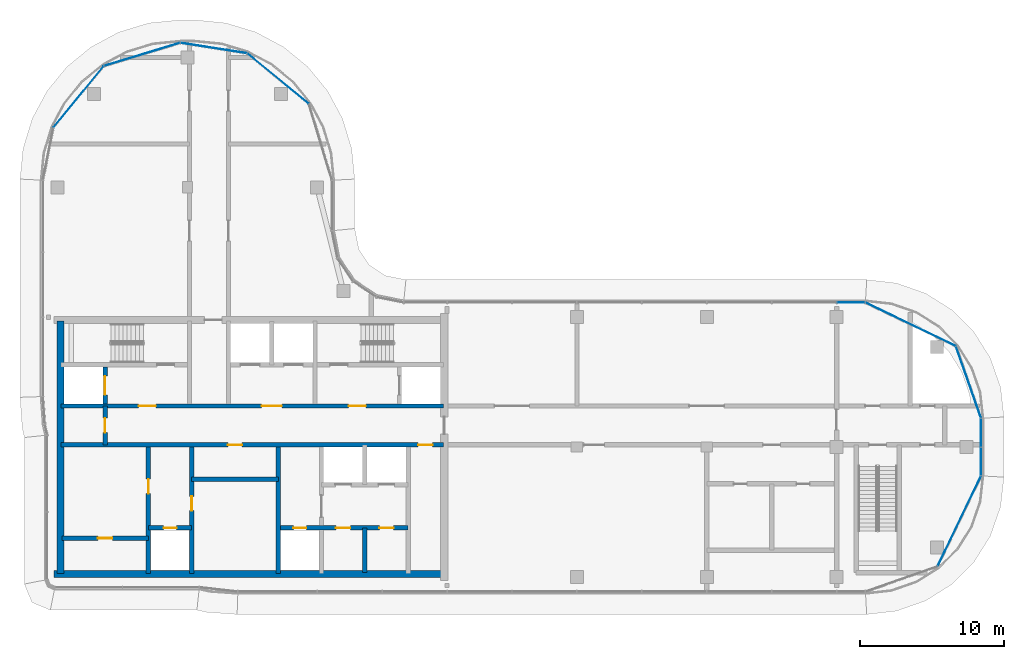
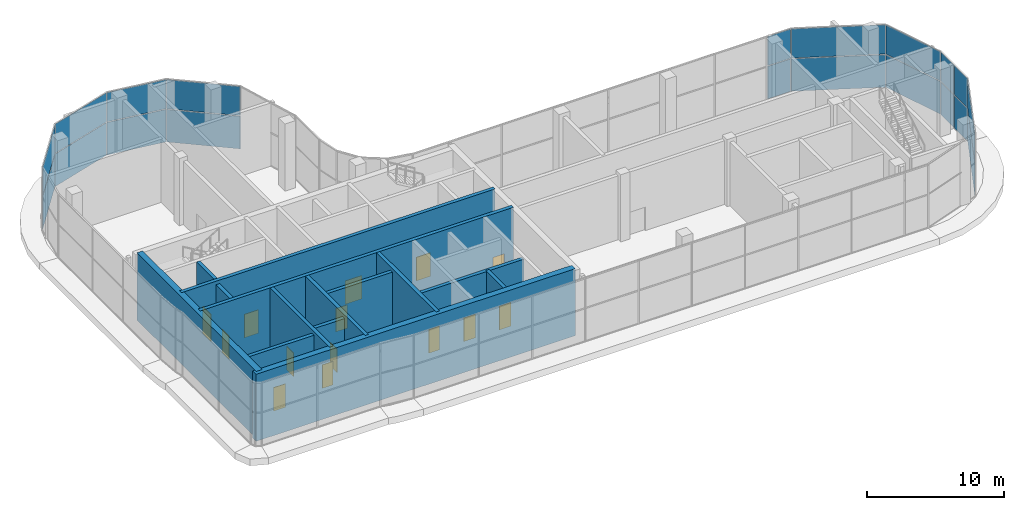
# One storey, part 14 of 23: 20 plates, 14 doors, 14 walls, 14 openings, 5 elements without a shape of their own.
"""IFC4 building model written with IfcOpenShell, lengths in metres."""

from ifc_helpers import new_model, si_unit, direction, frame, frame_2d, origin, origin_2d, place, context, subcontext, project, spatial, rectangle, extrude, material, layer, layer_set, type_object, element, fill, aggregate, save


model = new_model("IFC4")

# Units and contexts
model_context = context("Model", 3, precision=1e-05, world=origin(), true_north=direction((0.0, 1.0)))
body_context = subcontext(model_context, "Body", "Model", "MODEL_VIEW")
ifc_project = project(units=[si_unit("LENGTHUNIT", "METRE"), si_unit("AREAUNIT", "SQUARE_METRE"), si_unit("VOLUMEUNIT", "CUBIC_METRE"), si_unit("PLANEANGLEUNIT", "RADIAN"), si_unit("MASSUNIT", "GRAM", prefix="KILO")], contexts=[model_context])

# Site, building, storey
site_placement = place(None, origin())
site = spatial("IfcSite", under=ifc_project, at=site_placement, CompositionType="ELEMENT")
building_placement = place(site_placement, origin())
building = spatial("IfcBuilding", under=site, at=building_placement, Name="Ogive Portal Towers", CompositionType="ELEMENT")
storey_placement = place(building_placement, frame((0.0, 0.0, 260.89990234375)))
storey = spatial("IfcBuildingStorey", under=building, at=storey_placement, Name="L64", CompositionType="ELEMENT", Elevation=260.89990234375)

# Curtain wall, plates
ifc_material_1 = material(Name="Glass, clear low-iron insulated glazing", Category="glass")
curtain_wall_type = type_object("IfcCurtainWallType", Name="CW OBSERVATION WALL", PredefinedType="NOTDEFINED", material=ifc_material_1)
curtain_wall_1_placement = place(storey_placement, origin())
curtain_wall_1 = element("IfcCurtainWall", 1, at=curtain_wall_1_placement, inside=storey, type_object=curtain_wall_type, Name="A:L64:f08:cw0", PredefinedType="NOTDEFINED")
ifc_layer_1 = layer(ifc_material_1, 0.028076171875)
ifc_layer_set_1 = layer_set([ifc_layer_1], Name="CW PANEL IGU 28")
plate_type = type_object("IfcPlateType", Name="CW PANEL IGU 28", PredefinedType="CURTAIN_PANEL", material=ifc_layer_set_1)
plate_1_placement = place(storey_placement, frame((95.52001953125, 29.509033203125, 0.06005859375), z_axis=(0.0, 0.0, 1.0), x_axis=(0.0, 1.0, 0.0)))
plate_1 = element("IfcPlate", 2, at=plate_1_placement, type_object=plate_type, Name="panel", PredefinedType="CURTAIN_PANEL", context=body_context, shape_type="SweptSolid", body=[
    extrude(rectangle(XDim=1.921630859375, YDim=0.028076171875, at=origin_2d()), origin(), (0.0, 0.0, 1.0), 2.909912109375),
])
plate_2_placement = place(storey_placement, frame((95.52001953125, 29.509033203125, 3.0302734375), z_axis=(0.0, 0.0, 1.0), x_axis=(0.0, 1.0, 0.0)))
plate_2 = element("IfcPlate", 3, at=plate_2_placement, type_object=plate_type, Name="panel", PredefinedType="CURTAIN_PANEL", context=body_context, shape_type="SweptSolid", body=[
    extrude(rectangle(XDim=1.921630859375, YDim=0.028076171875, at=origin_2d()), origin(), (0.0, 0.0, 1.0), 2.610107421875),
])
plate_3_placement = place(storey_placement, frame((95.52001953125, 31.4931640625, 0.06005859375), z_axis=(0.0, 0.0, 1.0), x_axis=(0.0, 1.0, 0.0)))
plate_3 = element("IfcPlate", 4, at=plate_3_placement, type_object=plate_type, Name="panel", PredefinedType="CURTAIN_PANEL", context=body_context, shape_type="SweptSolid", body=[
    extrude(rectangle(XDim=1.926513671875, YDim=0.028076171875, at=origin_2d()), origin(), (0.0, 0.0, 1.0), 2.909912109375),
])
plate_4_placement = place(storey_placement, frame((95.52001953125, 31.4931640625, 3.0302734375), z_axis=(0.0, 0.0, 1.0), x_axis=(0.0, 1.0, 0.0)))
plate_4 = element("IfcPlate", 5, at=plate_4_placement, type_object=plate_type, Name="panel", PredefinedType="CURTAIN_PANEL", context=body_context, shape_type="SweptSolid", body=[
    extrude(rectangle(XDim=1.926513671875, YDim=0.028076171875, at=origin_2d()), origin(), (0.0, 0.0, 1.0), 2.610107421875),
])
aggregate(curtain_wall_1, [plate_1, plate_2, plate_3, plate_4])

curtain_wall_2_placement = place(storey_placement, origin())
curtain_wall_2 = element("IfcCurtainWall", 6, at=curtain_wall_2_placement, inside=storey, type_object=curtain_wall_type, Name="A:L64:f11:cw0", PredefinedType="NOTDEFINED")
plate_5_placement = place(storey_placement, frame((86.490966796875, 40.52001953125, 0.06005859375), z_axis=(0.0, 0.0, 1.0), x_axis=(-1.0, 0.0, 0.0)))
plate_5 = element("IfcPlate", 7, at=plate_5_placement, type_object=plate_type, Name="panel", PredefinedType="CURTAIN_PANEL", context=body_context, shape_type="SweptSolid", body=[
    extrude(rectangle(XDim=1.921630859375, YDim=0.028076171875, at=origin_2d()), origin(), (0.0, 0.0, 1.0), 2.909912109375),
])
plate_6_placement = place(storey_placement, frame((86.490966796875, 40.52001953125, 3.0302734375), z_axis=(0.0, 0.0, 1.0), x_axis=(-1.0, 0.0, 0.0)))
plate_6 = element("IfcPlate", 8, at=plate_6_placement, type_object=plate_type, Name="panel", PredefinedType="CURTAIN_PANEL", context=body_context, shape_type="SweptSolid", body=[
    extrude(rectangle(XDim=1.921630859375, YDim=0.028076171875, at=origin_2d()), origin(), (0.0, 0.0, 1.0), 2.610107421875),
])
aggregate(curtain_wall_2, [plate_5, plate_6])

curtain_wall_3_placement = place(storey_placement, origin())
curtain_wall_3 = element("IfcCurtainWall", 9, at=curtain_wall_3_placement, inside=storey, type_object=curtain_wall_type, Name="A:L64:f06:cwa", PredefinedType="NOTDEFINED")
plate_7_placement = place(storey_placement, frame((94.00634765625, 25.375, 0.06005859375), z_axis=(0.0, 0.0, 1.0), x_axis=(0.433883739113, 0.900968867905, 0.0)))
plate_7 = element("IfcPlate", 10, at=plate_7_placement, type_object=plate_type, Name="panel", PredefinedType="CURTAIN_PANEL", context=body_context, shape_type="SweptSolid", body=[
    extrude(rectangle(XDim=6.91748046875, YDim=0.028076171875, at=origin_2d()), origin(), (0.0, 0.0, 1.0), 2.909912109375),
])
plate_8_placement = place(storey_placement, frame((94.00634765625, 25.375, 3.0302734375), z_axis=(0.0, 0.0, 1.0), x_axis=(0.433883739113, 0.900968867905, 0.0)))
plate_8 = element("IfcPlate", 11, at=plate_8_placement, type_object=plate_type, Name="panel", PredefinedType="CURTAIN_PANEL", context=body_context, shape_type="SweptSolid", body=[
    extrude(rectangle(XDim=6.91748046875, YDim=0.028076171875, at=origin_2d()), origin(), (0.0, 0.0, 1.0), 2.610107421875),
])
aggregate(curtain_wall_3, [plate_7, plate_8])

curtain_wall_4_placement = place(storey_placement, origin())
curtain_wall_4 = element("IfcCurtainWall", 12, at=curtain_wall_4_placement, inside=storey, type_object=curtain_wall_type, Name="A:L64:f09:cwa", PredefinedType="NOTDEFINED")
plate_9_placement = place(storey_placement, frame((94.64404296875, 34.989501953125, 0.06005859375), z_axis=(0.0, 0.0, 1.0), x_axis=(-0.33027906196, 0.943883330307, 0.0)))
plate_9 = element("IfcPlate", 13, at=plate_9_placement, type_object=plate_type, Name="panel", PredefinedType="CURTAIN_PANEL", context=body_context, shape_type="SweptSolid", body=[
    extrude(rectangle(XDim=5.243896484375, YDim=0.028076171875, at=origin_2d()), origin(), (0.0, 0.0, 1.0), 2.909912109375),
])
plate_10_placement = place(storey_placement, frame((94.64404296875, 34.989501953125, 3.0302734375), z_axis=(0.0, 0.0, 1.0), x_axis=(-0.33027906196, 0.943883330307, 0.0)))
plate_10 = element("IfcPlate", 14, at=plate_10_placement, type_object=plate_type, Name="panel", PredefinedType="CURTAIN_PANEL", context=body_context, shape_type="SweptSolid", body=[
    extrude(rectangle(XDim=5.243896484375, YDim=0.028076171875, at=origin_2d()), origin(), (0.0, 0.0, 1.0), 2.610107421875),
])
plate_11_placement = place(storey_placement, frame((90.625, 39.00634765625, 0.06005859375), z_axis=(0.0, 0.0, 1.0), x_axis=(-0.900968867905, 0.433883739113, 0.0)))
plate_11 = element("IfcPlate", 15, at=plate_11_placement, type_object=plate_type, Name="panel", PredefinedType="CURTAIN_PANEL", context=body_context, shape_type="SweptSolid", body=[
    extrude(rectangle(XDim=6.91748046875, YDim=0.028076171875, at=origin_2d()), origin(), (0.0, 0.0, 1.0), 2.909912109375),
])
plate_12_placement = place(storey_placement, frame((90.625, 39.00634765625, 3.0302734375), z_axis=(0.0, 0.0, 1.0), x_axis=(-0.900968867905, 0.433883739113, 0.0)))
plate_12 = element("IfcPlate", 16, at=plate_12_placement, type_object=plate_type, Name="panel", PredefinedType="CURTAIN_PANEL", context=body_context, shape_type="SweptSolid", body=[
    extrude(rectangle(XDim=6.91748046875, YDim=0.028076171875, at=origin_2d()), origin(), (0.0, 0.0, 1.0), 2.610107421875),
])
aggregate(curtain_wall_4, [plate_9, plate_10, plate_11, plate_12])

curtain_wall_5_placement = place(storey_placement, origin())
curtain_wall_5 = element("IfcCurtainWall", 17, at=curtain_wall_5_placement, inside=storey, type_object=curtain_wall_type, Name="A:L64:f17:cwa", PredefinedType="NOTDEFINED")
plate_13_placement = place(storey_placement, frame((46.776123046875, 56.040283203125, 0.06005859375), z_axis=(0.0, 0.0, 1.0), x_axis=(-0.773010453363, 0.634393284164, 0.0)))
plate_13 = element("IfcPlate", 18, at=plate_13_placement, type_object=plate_type, Name="panel", PredefinedType="CURTAIN_PANEL", context=body_context, shape_type="SweptSolid", body=[
    extrude(rectangle(XDim=5.46728515625, YDim=0.028076171875, at=origin_2d()), origin(), (0.0, 0.0, 1.0), 2.909912109375),
])
plate_14_placement = place(storey_placement, frame((46.776123046875, 56.040283203125, 3.0302734375), z_axis=(0.0, 0.0, 1.0), x_axis=(-0.773010453363, 0.634393284164, 0.0)))
plate_14 = element("IfcPlate", 19, at=plate_14_placement, type_object=plate_type, Name="panel", PredefinedType="CURTAIN_PANEL", context=body_context, shape_type="SweptSolid", body=[
    extrude(rectangle(XDim=5.46728515625, YDim=0.028076171875, at=origin_2d()), origin(), (0.0, 0.0, 1.0), 2.610107421875),
])
plate_15_placement = place(storey_placement, frame((42.32275390625, 58.15576171875, 0.06005859375), z_axis=(0.0, 0.0, 1.0), x_axis=(-0.987996509006, 0.154476205908, 0.0)))
plate_15 = element("IfcPlate", 20, at=plate_15_placement, type_object=plate_type, Name="panel", PredefinedType="CURTAIN_PANEL", context=body_context, shape_type="SweptSolid", body=[
    extrude(rectangle(XDim=4.63037109375, YDim=0.028076171875, at=origin_2d()), origin(), (0.0, 0.0, 1.0), 2.909912109375),
])
plate_16_placement = place(storey_placement, frame((42.32275390625, 58.15576171875, 3.0302734375), z_axis=(0.0, 0.0, 1.0), x_axis=(-0.987996509006, 0.154476205908, 0.0)))
plate_16 = element("IfcPlate", 21, at=plate_16_placement, type_object=plate_type, Name="panel", PredefinedType="CURTAIN_PANEL", context=body_context, shape_type="SweptSolid", body=[
    extrude(rectangle(XDim=4.63037109375, YDim=0.028076171875, at=origin_2d()), origin(), (0.0, 0.0, 1.0), 2.610107421875),
])
plate_17_placement = place(storey_placement, frame((37.359375, 57.71533203125, 0.06005859375), z_axis=(0.0, 0.0, 1.0), x_axis=(-0.956940335732, -0.290284677254, 0.0)))
plate_17 = element("IfcPlate", 22, at=plate_17_placement, type_object=plate_type, Name="panel", PredefinedType="CURTAIN_PANEL", context=body_context, shape_type="SweptSolid", body=[
    extrude(rectangle(XDim=5.470947265625, YDim=0.028076171875, at=origin_2d()), origin(), (0.0, 0.0, 1.0), 2.909912109375),
])
plate_18_placement = place(storey_placement, frame((37.359375, 57.71533203125, 3.0302734375), z_axis=(0.0, 0.0, 1.0), x_axis=(-0.956940335732, -0.290284677254, 0.0)))
plate_18 = element("IfcPlate", 23, at=plate_18_placement, type_object=plate_type, Name="panel", PredefinedType="CURTAIN_PANEL", context=body_context, shape_type="SweptSolid", body=[
    extrude(rectangle(XDim=5.470947265625, YDim=0.028076171875, at=origin_2d()), origin(), (0.0, 0.0, 1.0), 2.610107421875),
])
plate_19_placement = place(storey_placement, frame((32.959228515625, 54.775634765625, 0.06005859375), z_axis=(0.0, 0.0, 1.0), x_axis=(-0.634393284164, -0.773010453363, 0.0)))
plate_19 = element("IfcPlate", 24, at=plate_19_placement, type_object=plate_type, Name="panel", PredefinedType="CURTAIN_PANEL", context=body_context, shape_type="SweptSolid", body=[
    extrude(rectangle(XDim=5.46923828125, YDim=0.028076171875, at=origin_2d()), origin(), (0.0, 0.0, 1.0), 2.909912109375),
])
plate_20_placement = place(storey_placement, frame((32.959228515625, 54.775634765625, 3.0302734375), z_axis=(0.0, 0.0, 1.0), x_axis=(-0.634393284164, -0.773010453363, 0.0)))
plate_20 = element("IfcPlate", 25, at=plate_20_placement, type_object=plate_type, Name="panel", PredefinedType="CURTAIN_PANEL", context=body_context, shape_type="SweptSolid", body=[
    extrude(rectangle(XDim=5.46923828125, YDim=0.028076171875, at=origin_2d()), origin(), (0.0, 0.0, 1.0), 2.610107421875),
])
aggregate(curtain_wall_5, [plate_13, plate_14, plate_15, plate_16, plate_17, plate_18, plate_19, plate_20])

# Wall, opening, door
ifc_material_2 = material(Name="Concrete C60/75", Category="concrete")
ifc_layer_2 = layer(ifc_material_2, 0.300048828125)
ifc_layer_set_2 = layer_set([ifc_layer_2], Name="CORE WALL 300 C60")
wall_type_1 = type_object("IfcWallType", Name="CORE WALL 300 C60", PredefinedType="SHEAR", material=ifc_layer_set_2)
wall_1_placement = place(storey_placement, frame((37.800048828125, 21.75, 0.0), z_axis=(0.0, 0.0, 1.0), x_axis=(0.0, 1.0, 0.0)))
wall_1 = element("IfcWall", 26, at=wall_1_placement, inside=storey, type_object=wall_type_1, Name="Core wall X1 L64", PredefinedType="SHEAR", context=body_context, shape_type="SweptSolid", body=[
    extrude(rectangle(XDim=8.75, YDim=0.300048828125, at=frame_2d((4.375, 0.0))), origin(), (0.0, 0.0, 1.0), 6.0),
])
opening_1_placement = place(wall_1_placement, frame((5.52490234375, 0.0, 0.0)))
opening_1 = element("IfcOpeningElement", 27, at=opening_1_placement, cuts=wall_1, Name="Opening D30-018", PredefinedType="OPENING", context=body_context, shape_type="SweptSolid", body=[
    extrude(rectangle(XDim=1.0, YDim=2.10009765625, at=frame_2d((0.5, 1.050048828125))), frame((0.0, 0.16015625, 0.0), z_axis=(0.0, -1.0, 0.0), x_axis=(1.0, 0.0, 0.0)), (0.0, 0.0, 1.0), 0.320068359375),
])
ifc_material_3 = material(Name="Steel fire door", Category="steel")
door_type_1 = type_object("IfcDoorType", Name="DT-SWING-1000x2100-FD90S", OperationType="SINGLE_SWING_LEFT", PredefinedType="DOOR", material=ifc_material_3)
door_1_placement = place(opening_1_placement, origin())
door_1 = element("IfcDoor", 28, at=door_1_placement, inside=storey, type_object=door_type_1, Name="Door D30-018", OperationType="SINGLE_SWING_LEFT", OverallHeight=2.10009765625, OverallWidth=1.0, PredefinedType="DOOR", context=body_context, shape_type="SweptSolid", body=[
    extrude(rectangle(XDim=1.0, YDim=2.10009765625, at=frame_2d((0.5, 1.050048828125))), frame((0.0, 0.02490234375, 0.0), z_axis=(0.0, -1.0, 0.0), x_axis=(1.0, 0.0, 0.0)), (0.0, 0.0, 1.0), 0.050048828125),
])
fill(opening_1, door_1)

wall_2_placement = place(storey_placement, frame((40.800048828125, 21.75, 0.0), z_axis=(0.0, 0.0, 1.0), x_axis=(0.0, 1.0, 0.0)))
wall_2 = element("IfcWall", 29, at=wall_2_placement, inside=storey, type_object=wall_type_1, Name="Core wall X2 L64", PredefinedType="SHEAR", context=body_context, shape_type="SweptSolid", body=[
    extrude(rectangle(XDim=8.75, YDim=0.300048828125, at=frame_2d((4.375, 0.0))), origin(), (0.0, 0.0, 1.0), 6.0),
])
opening_2_placement = place(wall_2_placement, frame((4.337890625, 0.0, 0.0)))
opening_2 = element("IfcOpeningElement", 30, at=opening_2_placement, cuts=wall_2, Name="Opening D30-021", PredefinedType="OPENING", context=body_context, shape_type="SweptSolid", body=[
    extrude(rectangle(XDim=1.0, YDim=2.10009765625, at=frame_2d((0.5, 1.050048828125))), frame((0.0, 0.16015625, 0.0), z_axis=(0.0, -1.0, 0.0), x_axis=(1.0, 0.0, 0.0)), (0.0, 0.0, 1.0), 0.320068359375),
])
door_2_placement = place(opening_2_placement, origin())
door_2 = element("IfcDoor", 31, at=door_2_placement, inside=storey, type_object=door_type_1, Name="Door D30-021", OperationType="SINGLE_SWING_RIGHT", OverallHeight=2.10009765625, OverallWidth=1.0, PredefinedType="DOOR", context=body_context, shape_type="SweptSolid", body=[
    extrude(rectangle(XDim=1.0, YDim=2.10009765625, at=frame_2d((0.5, 1.050048828125))), frame((0.0, 0.02490234375, 0.0), z_axis=(0.0, -1.0, 0.0), x_axis=(1.0, 0.0, 0.0)), (0.0, 0.0, 1.0), 0.050048828125),
])
fill(opening_2, door_2)

# Wall
wall_3_placement = place(storey_placement, frame((46.800048828125, 21.75, 0.0), z_axis=(0.0, 0.0, 1.0), x_axis=(0.0, 1.0, 0.0)))
element("IfcWall", 32, at=wall_3_placement, inside=storey, type_object=wall_type_1, Name="Core wall X3 L64", PredefinedType="SHEAR", context=body_context, shape_type="SweptSolid", body=[
    extrude(rectangle(XDim=8.75, YDim=0.300048828125, at=frame_2d((4.375, 0.0))), origin(), (0.0, 0.0, 1.0), 6.0),
])

# Wall, openings, doors
wall_4_placement = place(storey_placement, frame((31.75, 30.64990234375, 0.0), z_axis=(0.0, 0.0, 1.0), x_axis=(1.0, 0.0, 0.0)))
wall_4 = element("IfcWall", 33, at=wall_4_placement, inside=storey, type_object=wall_type_1, Name="Core wall Y1 L64", PredefinedType="SHEAR", context=body_context, shape_type="SweptSolid", body=[
    extrude(rectangle(XDim=26.5, YDim=0.300048828125, at=frame_2d((13.25, 0.0))), origin(), (0.0, 0.0, 1.0), 6.0),
])
opening_3_placement = place(wall_4_placement, frame((24.75, 0.0, 0.0)))
opening_3 = element("IfcOpeningElement", 34, at=opening_3_placement, cuts=wall_4, Name="Opening D30-009", PredefinedType="OPENING", context=body_context, shape_type="SweptSolid", body=[
    extrude(rectangle(XDim=1.0, YDim=2.10009765625, at=frame_2d((0.5, 1.050048828125))), frame((0.0, 0.16015625, 0.0), z_axis=(0.0, -1.0, 0.0), x_axis=(1.0, 0.0, 0.0)), (0.0, 0.0, 1.0), 0.320068359375),
])
opening_4_placement = place(wall_4_placement, frame((11.550048828125, 0.0, 0.0)))
opening_4 = element("IfcOpeningElement", 35, at=opening_4_placement, cuts=wall_4, Name="Opening D30-020", PredefinedType="OPENING", context=body_context, shape_type="SweptSolid", body=[
    extrude(rectangle(XDim=1.0, YDim=2.10009765625, at=frame_2d((0.5, 1.050048828125))), frame((0.0, 0.16015625, 0.0), z_axis=(0.0, -1.0, 0.0), x_axis=(1.0, 0.0, 0.0)), (0.0, 0.0, 1.0), 0.320068359375),
])
door_3_placement = place(opening_3_placement, origin())
door_3 = element("IfcDoor", 36, at=door_3_placement, inside=storey, type_object=door_type_1, Name="Door D30-009", OperationType="SINGLE_SWING_LEFT", OverallHeight=2.10009765625, OverallWidth=1.0, PredefinedType="DOOR", context=body_context, shape_type="SweptSolid", body=[
    extrude(rectangle(XDim=1.0, YDim=2.10009765625, at=frame_2d((0.5, 1.050048828125))), frame((0.0, 0.02490234375, 0.0), z_axis=(0.0, -1.0, 0.0), x_axis=(1.0, 0.0, 0.0)), (0.0, 0.0, 1.0), 0.050048828125),
])
fill(opening_3, door_3)
door_4_placement = place(opening_4_placement, origin())
door_4 = element("IfcDoor", 37, at=door_4_placement, inside=storey, type_object=door_type_1, Name="Riser access door D30-020", OperationType="SINGLE_SWING_LEFT", OverallHeight=2.10009765625, OverallWidth=1.0, PredefinedType="DOOR", context=body_context, shape_type="SweptSolid", body=[
    extrude(rectangle(XDim=1.0, YDim=2.10009765625, at=frame_2d((0.5, 1.050048828125))), frame((0.0, 0.02490234375, 0.0), z_axis=(0.0, -1.0, 0.0), x_axis=(1.0, 0.0, 0.0)), (0.0, 0.0, 1.0), 0.050048828125),
])
fill(opening_4, door_4)

wall_5_placement = place(storey_placement, frame((31.75, 33.35009765625, 0.0), z_axis=(0.0, 0.0, 1.0), x_axis=(1.0, 0.0, 0.0)))
wall_5 = element("IfcWall", 38, at=wall_5_placement, inside=storey, type_object=wall_type_1, Name="Core wall Y2 L64", PredefinedType="SHEAR", context=body_context, shape_type="SweptSolid", body=[
    extrude(rectangle(XDim=26.5, YDim=0.300048828125, at=frame_2d((13.25, 0.0))), origin(), (0.0, 0.0, 1.0), 6.0),
])
opening_5_placement = place(wall_5_placement, frame((13.89990234375, 0.0, 0.0)))
opening_5 = element("IfcOpeningElement", 39, at=opening_5_placement, cuts=wall_5, Name="Opening D30-002", PredefinedType="OPENING", context=body_context, shape_type="SweptSolid", body=[
    extrude(rectangle(XDim=1.39990234375, YDim=2.10009765625, at=frame_2d((0.699951171875, 1.050048828125))), frame((0.0, 0.16015625, 0.0), z_axis=(0.0, -1.0, 0.0), x_axis=(1.0, 0.0, 0.0)), (0.0, 0.0, 1.0), 0.320068359375),
])
opening_6_placement = place(wall_5_placement, frame((5.375, 0.0, 0.0)))
opening_6 = element("IfcOpeningElement", 40, at=opening_6_placement, cuts=wall_5, Name="Opening D30-003", PredefinedType="OPENING", context=body_context, shape_type="SweptSolid", body=[
    extrude(rectangle(XDim=1.199951171875, YDim=2.10009765625, at=frame_2d((0.60009765625, 1.050048828125))), frame((0.0, 0.16015625, 0.0), z_axis=(0.0, -1.0, 0.0), x_axis=(1.0, 0.0, 0.0)), (0.0, 0.0, 1.0), 0.320068359375),
])
opening_7_placement = place(wall_5_placement, frame((19.925048828125, 0.0, 0.0)))
opening_7 = element("IfcOpeningElement", 41, at=opening_7_placement, cuts=wall_5, Name="Opening D30-004", PredefinedType="OPENING", context=body_context, shape_type="SweptSolid", body=[
    extrude(rectangle(XDim=1.199951171875, YDim=2.10009765625, at=frame_2d((0.60009765625, 1.050048828125))), frame((0.0, 0.16015625, 0.0), z_axis=(0.0, -1.0, 0.0), x_axis=(1.0, 0.0, 0.0)), (0.0, 0.0, 1.0), 0.320068359375),
])
door_type_2 = type_object("IfcDoorType", Name="DT-SWING-1200x2100-FD90S", OperationType="SINGLE_SWING_LEFT", PredefinedType="DOOR", material=ifc_material_3)
door_5_placement = place(opening_6_placement, origin())
door_5 = element("IfcDoor", 42, at=door_5_placement, inside=storey, type_object=door_type_2, Name="Door D30-003", OperationType="SINGLE_SWING_LEFT", OverallHeight=2.10009765625, OverallWidth=1.199951171875, PredefinedType="DOOR", context=body_context, shape_type="SweptSolid", body=[
    extrude(rectangle(XDim=1.199951171875, YDim=2.10009765625, at=frame_2d((0.60009765625, 1.050048828125))), frame((0.0, 0.02490234375, 0.0), z_axis=(0.0, -1.0, 0.0), x_axis=(1.0, 0.0, 0.0)), (0.0, 0.0, 1.0), 0.050048828125),
])
fill(opening_6, door_5)
door_6_placement = place(opening_7_placement, origin())
door_6 = element("IfcDoor", 43, at=door_6_placement, inside=storey, type_object=door_type_2, Name="Door D30-004", OperationType="SINGLE_SWING_RIGHT", OverallHeight=2.10009765625, OverallWidth=1.199951171875, PredefinedType="DOOR", context=body_context, shape_type="SweptSolid", body=[
    extrude(rectangle(XDim=1.199951171875, YDim=2.10009765625, at=frame_2d((0.60009765625, 1.050048828125))), frame((0.0, 0.02490234375, 0.0), z_axis=(0.0, -1.0, 0.0), x_axis=(1.0, 0.0, 0.0)), (0.0, 0.0, 1.0), 0.050048828125),
])
fill(opening_7, door_6)
door_type_3 = type_object("IfcDoorType", Name="DT-SWING-1400x2100-FD90S", OperationType="SINGLE_SWING_LEFT", PredefinedType="DOOR", material=ifc_material_3)
door_7_placement = place(opening_5_placement, origin())
door_7 = element("IfcDoor", 44, at=door_7_placement, inside=storey, type_object=door_type_3, Name="Door D30-002", OperationType="SINGLE_SWING_RIGHT", OverallHeight=2.10009765625, OverallWidth=1.39990234375, PredefinedType="DOOR", context=body_context, shape_type="SweptSolid", body=[
    extrude(rectangle(XDim=1.39990234375, YDim=2.10009765625, at=frame_2d((0.699951171875, 1.050048828125))), frame((0.0, 0.02490234375, 0.0), z_axis=(0.0, -1.0, 0.0), x_axis=(1.0, 0.0, 0.0)), (0.0, 0.0, 1.0), 0.050048828125),
])
fill(opening_5, door_7)

# Wall, opening, door
wall_6_placement = place(storey_placement, frame((34.800048828125, 33.5, 0.0), z_axis=(0.0, 0.0, 1.0), x_axis=(0.0, 1.0, 0.0)))
wall_6 = element("IfcWall", 45, at=wall_6_placement, inside=storey, type_object=wall_type_1, Name="Core wall X8 L64", PredefinedType="SHEAR", context=body_context, shape_type="SweptSolid", body=[
    extrude(rectangle(XDim=2.550048828125, YDim=0.300048828125, at=frame_2d((1.27490234375, 0.0))), origin(), (0.0, 0.0, 1.0), 6.0),
])
opening_8_placement = place(wall_6_placement, frame((0.625, 0.0, 0.0)))
opening_8 = element("IfcOpeningElement", 46, at=opening_8_placement, cuts=wall_6, Name="Opening D30-016", PredefinedType="OPENING", context=body_context, shape_type="SweptSolid", body=[
    extrude(rectangle(XDim=1.300048828125, YDim=2.39990234375, at=frame_2d((0.64990234375, 1.199951171875))), frame((0.0, 0.16015625, 0.0), z_axis=(0.0, -1.0, 0.0), x_axis=(1.0, 0.0, 0.0)), (0.0, 0.0, 1.0), 0.320068359375),
])
ifc_material_4 = material(Name="Stainless steel", Category="steel")
door_type_4 = type_object("IfcDoorType", Name="DT-LD-1300x2400", OperationType="SLIDING_TO_LEFT", PredefinedType="DOOR", material=ifc_material_4)
door_8_placement = place(opening_8_placement, origin())
door_8 = element("IfcDoor", 47, at=door_8_placement, inside=storey, type_object=door_type_4, Name="Door D30-016", OperationType="SLIDING_TO_LEFT", OverallHeight=2.39990234375, OverallWidth=1.300048828125, PredefinedType="DOOR", context=body_context, shape_type="SweptSolid", body=[
    extrude(rectangle(XDim=1.300048828125, YDim=2.39990234375, at=frame_2d((0.64990234375, 1.199951171875))), frame((0.0, 0.02490234375, 0.0), z_axis=(0.0, -1.0, 0.0), x_axis=(1.0, 0.0, 0.0)), (0.0, 0.0, 1.0), 0.050048828125),
])
fill(opening_8, door_8)

# Walls
ifc_layer_3 = layer(ifc_material_2, 0.5)
ifc_layer_set_3 = layer_set([ifc_layer_3], Name="CORE WALL 500 C60")
wall_type_2 = type_object("IfcWallType", Name="CORE WALL 500 C60", PredefinedType="SHEAR", material=ifc_layer_set_3)
wall_7_placement = place(storey_placement, frame((31.699951171875, 21.75, 0.0), z_axis=(0.0, 0.0, 1.0), x_axis=(0.0, 1.0, 0.0)))
element("IfcWall", 48, at=wall_7_placement, inside=storey, type_object=wall_type_2, Name="Core wall W L64", PredefinedType="SHEAR", context=body_context, shape_type="SweptSolid", body=[
    extrude(rectangle(XDim=17.5, YDim=0.5, at=frame_2d((8.75, 0.0))), origin(), (0.0, 0.0, 1.0), 6.0),
])
wall_8_placement = place(storey_placement, frame((31.25, 21.699951171875, 0.0), z_axis=(0.0, 0.0, 1.0), x_axis=(1.0, 0.0, 0.0)))
element("IfcWall", 49, at=wall_8_placement, inside=storey, type_object=wall_type_2, Name="Core wall S L64", PredefinedType="SHEAR", context=body_context, shape_type="SweptSolid", body=[
    extrude(rectangle(XDim=27.0, YDim=0.5, at=frame_2d((13.5, 0.0))), origin(), (0.0, 0.0, 1.0), 6.0),
])

# Wall, opening, door
ifc_material_5 = material(Name="Gypsum board partition on steel studs", Category="steel")
ifc_layer_4 = layer(ifc_material_5, 0.300048828125)
ifc_layer_set_4 = layer_set([ifc_layer_4], Name="WT-PART-300")
wall_type_3 = type_object("IfcWallType", Name="WT-PART-300", PredefinedType="PARTITIONING", material=ifc_layer_set_4)
wall_9_placement = place(storey_placement, frame((31.800048828125, 24.173095703125, 0.0), z_axis=(0.0, 0.0, 1.0), x_axis=(1.0, 0.0, 0.0)))
wall_9 = element("IfcWall", 50, at=wall_9_placement, inside=storey, type_object=wall_type_3, Name="Wall pw:001:L64", PredefinedType="PARTITIONING", context=body_context, shape_type="SweptSolid", body=[
    extrude(rectangle(XDim=6.0, YDim=0.300048828125, at=frame_2d((3.0, 0.0))), origin(), (0.0, 0.0, 1.0), 5.7001953125),
])
opening_9_placement = place(wall_9_placement, frame((2.5, 0.0, 0.0)))
opening_9 = element("IfcOpeningElement", 51, at=opening_9_placement, cuts=wall_9, Name="Opening D30-019", PredefinedType="OPENING", context=body_context, shape_type="SweptSolid", body=[
    extrude(rectangle(XDim=1.0, YDim=2.10009765625, at=frame_2d((0.5, 1.050048828125))), frame((0.0, 0.16015625, 0.0), z_axis=(0.0, -1.0, 0.0), x_axis=(1.0, 0.0, 0.0)), (0.0, 0.0, 1.0), 0.320068359375),
])
door_type_5 = type_object("IfcDoorType", Name="DT-SWING-1000x2100-FD60S", OperationType="SINGLE_SWING_LEFT", PredefinedType="DOOR", material=ifc_material_3)
door_9_placement = place(opening_9_placement, origin())
door_9 = element("IfcDoor", 52, at=door_9_placement, inside=storey, type_object=door_type_5, Name="Riser access door D30-019", OperationType="SINGLE_SWING_RIGHT", OverallHeight=2.10009765625, OverallWidth=1.0, PredefinedType="DOOR", context=body_context, shape_type="SweptSolid", body=[
    extrude(rectangle(XDim=1.0, YDim=2.10009765625, at=frame_2d((0.5, 1.050048828125))), frame((0.0, 0.02490234375, 0.0), z_axis=(0.0, -1.0, 0.0), x_axis=(1.0, 0.0, 0.0)), (0.0, 0.0, 1.0), 0.050048828125),
])
fill(opening_9, door_9)

wall_10_placement = place(storey_placement, frame((37.800048828125, 24.89990234375, 0.0), z_axis=(0.0, 0.0, 1.0), x_axis=(1.0, 0.0, 0.0)))
wall_10 = element("IfcWall", 53, at=wall_10_placement, inside=storey, type_object=wall_type_3, Name="Wall pw:002:L64", PredefinedType="PARTITIONING", context=body_context, shape_type="SweptSolid", body=[
    extrude(rectangle(XDim=3.0, YDim=0.300048828125, at=frame_2d((1.5, 0.0))), origin(), (0.0, 0.0, 1.0), 5.7001953125),
])
opening_10_placement = place(wall_10_placement, frame((1.050048828125, 0.0, 0.0)))
opening_10 = element("IfcOpeningElement", 54, at=opening_10_placement, cuts=wall_10, Name="Opening D30-007", PredefinedType="OPENING", context=body_context, shape_type="SweptSolid", body=[
    extrude(rectangle(XDim=0.89990234375, YDim=2.10009765625, at=frame_2d((0.449951171875, 1.050048828125))), frame((0.0, 0.16015625, 0.0), z_axis=(0.0, -1.0, 0.0), x_axis=(1.0, 0.0, 0.0)), (0.0, 0.0, 1.0), 0.320068359375),
])
door_type_6 = type_object("IfcDoorType", Name="DT-SWING-900x2100-FD60S", OperationType="SINGLE_SWING_LEFT", PredefinedType="DOOR", material=ifc_material_3)
door_10_placement = place(opening_10_placement, origin())
door_10 = element("IfcDoor", 55, at=door_10_placement, inside=storey, type_object=door_type_6, Name="Riser access door D30-007", OperationType="SINGLE_SWING_LEFT", OverallHeight=2.10009765625, OverallWidth=0.89990234375, PredefinedType="DOOR", context=body_context, shape_type="SweptSolid", body=[
    extrude(rectangle(XDim=0.89990234375, YDim=2.10009765625, at=frame_2d((0.449951171875, 1.050048828125))), frame((0.0, 0.02490234375, 0.0), z_axis=(0.0, -1.0, 0.0), x_axis=(1.0, 0.0, 0.0)), (0.0, 0.0, 1.0), 0.050048828125),
])
fill(opening_10, door_10)

# Wall, openings, doors
wall_11_placement = place(storey_placement, frame((46.800048828125, 24.89990234375, 0.0), z_axis=(0.0, 0.0, 1.0), x_axis=(1.0, 0.0, 0.0)))
wall_11 = element("IfcWall", 56, at=wall_11_placement, inside=storey, type_object=wall_type_3, Name="Wall pw:003:L64", PredefinedType="PARTITIONING", context=body_context, shape_type="SweptSolid", body=[
    extrude(rectangle(XDim=9.0, YDim=0.300048828125, at=frame_2d((4.5, 0.0))), origin(), (0.0, 0.0, 1.0), 5.7001953125),
])
opening_11_placement = place(wall_11_placement, frame((1.050048828125, 0.0, 0.0)))
opening_11 = element("IfcOpeningElement", 57, at=opening_11_placement, cuts=wall_11, Name="Opening D30-008", PredefinedType="OPENING", context=body_context, shape_type="SweptSolid", body=[
    extrude(rectangle(XDim=0.89990234375, YDim=2.10009765625, at=frame_2d((0.449951171875, 1.050048828125))), frame((0.0, 0.16015625, 0.0), z_axis=(0.0, -1.0, 0.0), x_axis=(1.0, 0.0, 0.0)), (0.0, 0.0, 1.0), 0.320068359375),
])
opening_12_placement = place(wall_11_placement, frame((4.0, 0.0, 0.0)))
opening_12 = element("IfcOpeningElement", 58, at=opening_12_placement, cuts=wall_11, Name="Opening D30-022", PredefinedType="OPENING", context=body_context, shape_type="SweptSolid", body=[
    extrude(rectangle(XDim=1.0, YDim=2.10009765625, at=frame_2d((0.5, 1.050048828125))), frame((0.0, 0.16015625, 0.0), z_axis=(0.0, -1.0, 0.0), x_axis=(1.0, 0.0, 0.0)), (0.0, 0.0, 1.0), 0.320068359375),
])
opening_13_placement = place(wall_11_placement, frame((7.0, 0.0, 0.0)))
opening_13 = element("IfcOpeningElement", 59, at=opening_13_placement, cuts=wall_11, Name="Opening D30-023", PredefinedType="OPENING", context=body_context, shape_type="SweptSolid", body=[
    extrude(rectangle(XDim=1.0, YDim=2.10009765625, at=frame_2d((0.5, 1.050048828125))), frame((0.0, 0.16015625, 0.0), z_axis=(0.0, -1.0, 0.0), x_axis=(1.0, 0.0, 0.0)), (0.0, 0.0, 1.0), 0.320068359375),
])
door_11_placement = place(opening_12_placement, origin())
door_11 = element("IfcDoor", 60, at=door_11_placement, inside=storey, type_object=door_type_5, Name="Door D30-022", OperationType="SINGLE_SWING_LEFT", OverallHeight=2.10009765625, OverallWidth=1.0, PredefinedType="DOOR", context=body_context, shape_type="SweptSolid", body=[
    extrude(rectangle(XDim=1.0, YDim=2.10009765625, at=frame_2d((0.5, 1.050048828125))), frame((0.0, 0.02490234375, 0.0), z_axis=(0.0, -1.0, 0.0), x_axis=(1.0, 0.0, 0.0)), (0.0, 0.0, 1.0), 0.050048828125),
])
fill(opening_12, door_11)
door_12_placement = place(opening_13_placement, origin())
door_12 = element("IfcDoor", 61, at=door_12_placement, inside=storey, type_object=door_type_5, Name="Door D30-023", OperationType="SINGLE_SWING_RIGHT", OverallHeight=2.10009765625, OverallWidth=1.0, PredefinedType="DOOR", context=body_context, shape_type="SweptSolid", body=[
    extrude(rectangle(XDim=1.0, YDim=2.10009765625, at=frame_2d((0.5, 1.050048828125))), frame((0.0, 0.02490234375, 0.0), z_axis=(0.0, -1.0, 0.0), x_axis=(1.0, 0.0, 0.0)), (0.0, 0.0, 1.0), 0.050048828125),
])
fill(opening_13, door_12)
door_13_placement = place(opening_11_placement, origin())
door_13 = element("IfcDoor", 62, at=door_13_placement, inside=storey, type_object=door_type_6, Name="Riser access door D30-008", OperationType="SINGLE_SWING_RIGHT", OverallHeight=2.10009765625, OverallWidth=0.89990234375, PredefinedType="DOOR", context=body_context, shape_type="SweptSolid", body=[
    extrude(rectangle(XDim=0.89990234375, YDim=2.10009765625, at=frame_2d((0.449951171875, 1.050048828125))), frame((0.0, 0.02490234375, 0.0), z_axis=(0.0, -1.0, 0.0), x_axis=(1.0, 0.0, 0.0)), (0.0, 0.0, 1.0), 0.050048828125),
])
fill(opening_11, door_13)

# Walls
wall_12_placement = place(storey_placement, frame((40.800048828125, 28.277099609375, 0.0), z_axis=(0.0, 0.0, 1.0), x_axis=(1.0, 0.0, 0.0)))
element("IfcWall", 63, at=wall_12_placement, inside=storey, type_object=wall_type_3, Name="Wall pw:005:L64", PredefinedType="PARTITIONING", context=body_context, shape_type="SweptSolid", body=[
    extrude(rectangle(XDim=6.0, YDim=0.300048828125, at=frame_2d((3.0, 0.0))), origin(), (0.0, 0.0, 1.0), 5.7001953125),
])
wall_13_placement = place(storey_placement, frame((52.800048828125, 21.800048828125, 0.0), z_axis=(0.0, 0.0, 1.0), x_axis=(0.0, 1.0, 0.0)))
element("IfcWall", 64, at=wall_13_placement, inside=storey, type_object=wall_type_3, Name="Wall pw:008:L64", PredefinedType="PARTITIONING", context=body_context, shape_type="SweptSolid", body=[
    extrude(rectangle(XDim=3.099853515625, YDim=0.300048828125, at=frame_2d((1.5498046875, 0.0))), origin(), (0.0, 0.0, 1.0), 5.7001953125),
])

# Wall, opening, door
ifc_material_6 = material(Name="Concrete C40/50", Category="concrete")
ifc_layer_5 = layer(ifc_material_6, 0.300048828125)
ifc_layer_set_5 = layer_set([ifc_layer_5], Name="WT-SHAFT-300")
wall_type_4 = type_object("IfcWallType", Name="WT-SHAFT-300", PredefinedType="SOLIDWALL", material=ifc_layer_set_5)
wall_14_placement = place(storey_placement, frame((34.800048828125, 30.64990234375, 0.0), z_axis=(0.0, 0.0, 1.0), x_axis=(0.0, 1.0, 0.0)))
wall_14 = element("IfcWall", 65, at=wall_14_placement, inside=storey, type_object=wall_type_4, Name="Wall pw:006:L64", PredefinedType="SOLIDWALL", context=body_context, shape_type="SweptSolid", body=[
    extrude(rectangle(XDim=2.7001953125, YDim=0.300048828125, at=frame_2d((1.35009765625, 0.0))), origin(), (0.0, 0.0, 1.0), 5.7001953125),
])
opening_14_placement = place(wall_14_placement, frame((0.85009765625, 0.0, 0.0)))
opening_14 = element("IfcOpeningElement", 66, at=opening_14_placement, cuts=wall_14, Name="Opening D30-024", PredefinedType="OPENING", context=body_context, shape_type="SweptSolid", body=[
    extrude(rectangle(XDim=1.0, YDim=2.10009765625, at=frame_2d((0.5, 1.050048828125))), frame((0.0, 0.16015625, 0.0), z_axis=(0.0, -1.0, 0.0), x_axis=(1.0, 0.0, 0.0)), (0.0, 0.0, 1.0), 0.320068359375),
])
door_14_placement = place(opening_14_placement, origin())
door_14 = element("IfcDoor", 67, at=door_14_placement, inside=storey, type_object=door_type_1, Name="Door D30-024", OperationType="SINGLE_SWING_LEFT", OverallHeight=2.10009765625, OverallWidth=1.0, PredefinedType="DOOR", context=body_context, shape_type="SweptSolid", body=[
    extrude(rectangle(XDim=1.0, YDim=2.10009765625, at=frame_2d((0.5, 1.050048828125))), frame((0.0, 0.02490234375, 0.0), z_axis=(0.0, -1.0, 0.0), x_axis=(1.0, 0.0, 0.0)), (0.0, 0.0, 1.0), 0.050048828125),
])
fill(opening_14, door_14)

save(model, "model.ifc")
